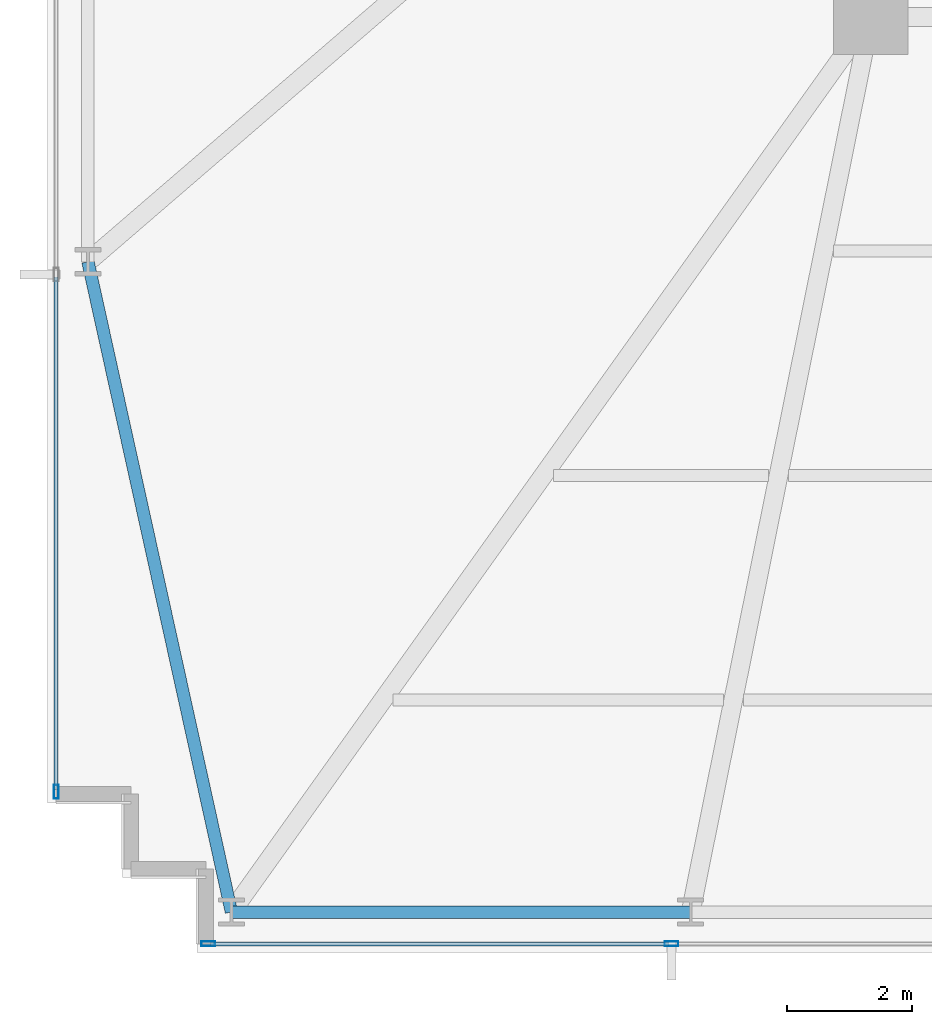
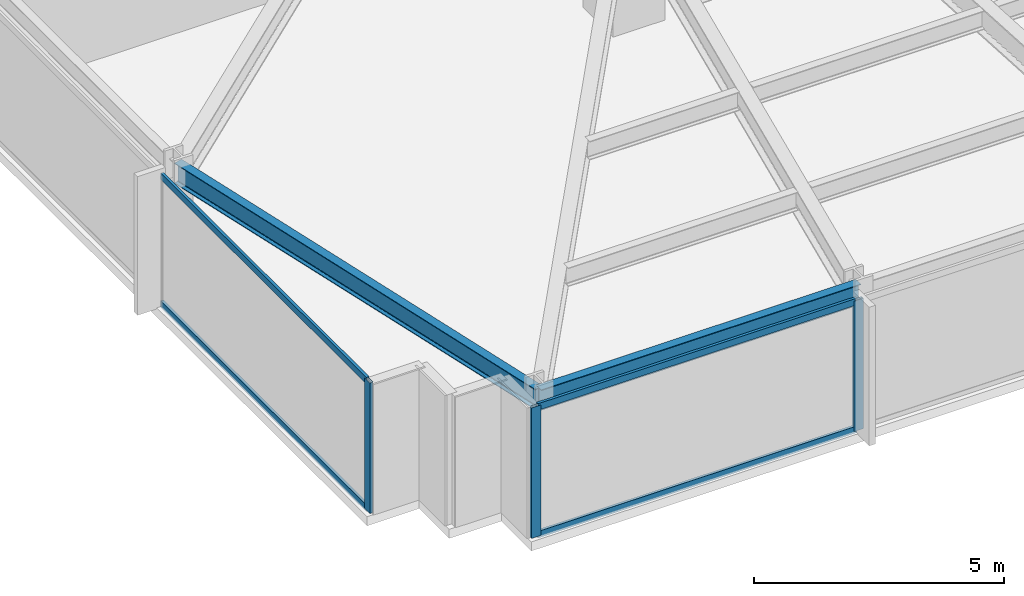
# One storey, part 2 of 32: 7 members, 2 beams, 2 elements without a shape of their own.
"""IFC4 building model written with IfcOpenShell, lengths in metres."""

from ifc_helpers import new_model, si_unit, direction, frame, origin, origin_2d, place, context, subcontext, project, spatial, hollow_rectangle, i_section, extrude, material, material_profile, profile_set, type_object, element, aggregate, save


model = new_model("IFC4")

# Units and contexts
model_context = context("Model", 3, precision=1e-05, world=origin(), true_north=direction((0.0, 1.0)))
body_context = subcontext(model_context, "Body", "Model", "MODEL_VIEW")
ifc_project = project(units=[si_unit("LENGTHUNIT", "METRE"), si_unit("AREAUNIT", "SQUARE_METRE"), si_unit("VOLUMEUNIT", "CUBIC_METRE"), si_unit("PLANEANGLEUNIT", "RADIAN"), si_unit("MASSUNIT", "GRAM", prefix="KILO")], contexts=[model_context])

# Site, building, storey
site_placement = place(None, origin())
site = spatial("IfcSite", under=ifc_project, at=site_placement, CompositionType="ELEMENT")
building_placement = place(site_placement, origin())
building = spatial("IfcBuilding", under=site, at=building_placement, Name="Yelkora Congress Tower", CompositionType="ELEMENT")
storey_placement = place(building_placement, frame((0.0, 0.0, 67.800048828125)))
storey = spatial("IfcBuildingStorey", under=building, at=storey_placement, Name="L17", CompositionType="ELEMENT", Elevation=67.800048828125)

# Beams
ifc_material_1 = material(Name="Steel S355J2", Category="steel")
ifc_material_profile_1 = material_profile(ifc_material_1, i_section(OverallWidth=0.199951171875, OverallDepth=0.5, WebThickness=0.01025390625, FlangeThickness=0.01611328125, FilletRadius=0.02099609375, at=origin_2d()), Name="IPE 500")
ifc_profile_set_1 = profile_set([ifc_material_profile_1], Name="Steel S355J2")
beam_type = type_object("IfcBeamType", Name="BM-SPAN-IPE500", PredefinedType="SPANDREL", material=ifc_profile_set_1)
beam_1_placement = place(storey_placement, frame((6.64990234375, 21.27490234375, 2.929931640625), z_axis=(0.215450706142, -0.976514717361, 0.0), x_axis=(0.976514717361, 0.215450706142, 0.0)))
element("IfcBeam", 1, at=beam_1_placement, inside=storey, type_object=beam_type, Name="L17 Perimeter Beam 1", PredefinedType="SPANDREL", context=body_context, shape_type="SweptSolid", body=[
    extrude(i_section(OverallWidth=0.199951171875, OverallDepth=0.5, WebThickness=0.01025390625, FlangeThickness=0.01611328125, FilletRadius=0.02099609375, at=origin_2d()), origin(), (0.0, 0.0, 1.0), 10.675537109375),
])
beam_2_placement = place(storey_placement, frame((8.949951171875, 10.85009765625, 2.929931640625), z_axis=(1.0, 0.0, 0.0), x_axis=(0.0, 1.0, 0.0)))
element("IfcBeam", 2, at=beam_2_placement, inside=storey, type_object=beam_type, Name="L17 Perimeter Beam 2", PredefinedType="SPANDREL", context=body_context, shape_type="SweptSolid", body=[
    extrude(i_section(OverallWidth=0.199951171875, OverallDepth=0.5, WebThickness=0.01025390625, FlangeThickness=0.01611328125, FilletRadius=0.02099609375, at=origin_2d()), origin(), (0.0, 0.0, 1.0), 7.362548828125),
])

# Curtain wall, member
ifc_material_2 = material(Name="Anodised aluminium and insulated glass", Category="aluminium")
curtain_wall_type = type_object("IfcCurtainWallType", Name="CW-SYS-B1", PredefinedType="NOTDEFINED", material=ifc_material_2)
curtain_wall_1_placement = place(storey_placement, origin())
curtain_wall_1 = element("IfcCurtainWall", 3, at=curtain_wall_1_placement, inside=storey, type_object=curtain_wall_type, Name="L17 Unitised Curtain Wall 5", PredefinedType="NOTDEFINED")
ifc_material_3 = material(Name="Anodised aluminium 6063-T6", Category="aluminium")
ifc_material_profile_2 = material_profile(ifc_material_3, hollow_rectangle(XDim=0.074951171875, YDim=0.219970703125, WallThickness=0.0048828125, at=origin_2d()), Name="ALU 75x220x5")
ifc_profile_set_2 = profile_set([ifc_material_profile_2], Name="Anodised aluminium 6063-T6")
member_type_1 = type_object("IfcMemberType", Name="MEM-ML-B1", PredefinedType="MULLION", material=ifc_profile_set_2)
member_1_placement = place(storey_placement, frame((6.139892578125, 12.777587890625, 0.0), z_axis=(0.0, 0.0, 1.0), x_axis=(-1.0, 0.0, 0.0)))
member_1 = element("IfcMember", 4, at=member_1_placement, type_object=member_type_1, Name="CW-B1 mullion 1", PredefinedType="MULLION", context=body_context, shape_type="SweptSolid", body=[
    extrude(hollow_rectangle(XDim=0.074951171875, YDim=0.219970703125, WallThickness=0.0048828125, at=origin_2d()), origin(), (0.0, 0.0, 1.0), 3.179931640625),
])

# Curtain wall, members
curtain_wall_2_placement = place(storey_placement, origin())
curtain_wall_2 = element("IfcCurtainWall", 5, at=curtain_wall_2_placement, inside=storey, type_object=curtain_wall_type, Name="L17 Unitised Curtain Wall 20", PredefinedType="NOTDEFINED")
member_2_placement = place(storey_placement, frame((16.0048828125, 10.340087890625, 0.0), z_axis=(0.0, 0.0, 1.0), x_axis=(0.0, -1.0, 0.0)))
member_2 = element("IfcMember", 6, at=member_2_placement, type_object=member_type_1, Name="CW-B1 mullion 8", PredefinedType="MULLION", context=body_context, shape_type="SweptSolid", body=[
    extrude(hollow_rectangle(XDim=0.074951171875, YDim=0.219970703125, WallThickness=0.0048828125, at=origin_2d()), origin(), (0.0, 0.0, 1.0), 3.179931640625),
])
member_3_placement = place(storey_placement, frame((8.577392578125, 10.340087890625, 0.0), z_axis=(0.0, 0.0, 1.0), x_axis=(0.0, -1.0, 0.0)))
member_3 = element("IfcMember", 7, at=member_3_placement, type_object=member_type_1, Name="CW-B1 mullion 9", PredefinedType="MULLION", context=body_context, shape_type="SweptSolid", body=[
    extrude(hollow_rectangle(XDim=0.074951171875, YDim=0.219970703125, WallThickness=0.0048828125, at=origin_2d()), origin(), (0.0, 0.0, 1.0), 3.179931640625),
])

# Member
ifc_material_profile_3 = material_profile(ifc_material_3, hollow_rectangle(XDim=0.06494140625, YDim=0.159912109375, WallThickness=0.00390625, at=origin_2d()), Name="ALU 65x160x4")
ifc_profile_set_3 = profile_set([ifc_material_profile_3], Name="Anodised aluminium 6063-T6")
member_type_2 = type_object("IfcMemberType", Name="MEM-TR-B1", PredefinedType="USERDEFINED", material=ifc_profile_set_3)
member_4_placement = place(storey_placement, frame((6.139892578125, 12.81494140625, 0.032470703125), z_axis=(0.0, 1.0, 0.0), x_axis=(-1.0, 0.0, 0.0)))
member_4 = element("IfcMember", 8, at=member_4_placement, type_object=member_type_2, Name="CW-B1 transom 1.1", ObjectType="TRANSOM", PredefinedType="USERDEFINED", context=body_context, shape_type="SweptSolid", body=[
    extrude(hollow_rectangle(XDim=0.06494140625, YDim=0.159912109375, WallThickness=0.00390625, at=origin_2d()), origin(), (0.0, 0.0, 1.0), 8.217529296875),
])

member_5_placement = place(storey_placement, frame((6.139892578125, 12.81494140625, 3.1474609375), z_axis=(0.0, 1.0, 0.0), x_axis=(-1.0, 0.0, 0.0)))
member_5 = element("IfcMember", 9, at=member_5_placement, type_object=member_type_2, Name="CW-B1 transom 1.2", ObjectType="TRANSOM", PredefinedType="USERDEFINED", context=body_context, shape_type="SweptSolid", body=[
    extrude(hollow_rectangle(XDim=0.06494140625, YDim=0.159912109375, WallThickness=0.00390625, at=origin_2d()), origin(), (0.0, 0.0, 1.0), 8.217529296875),
])

aggregate(curtain_wall_1, [member_1, member_4, member_5])

member_6_placement = place(storey_placement, frame((15.967529296875, 10.340087890625, 0.032470703125), z_axis=(-1.0, 0.0, 0.0), x_axis=(0.0, -1.0, 0.0)))
member_6 = element("IfcMember", 10, at=member_6_placement, type_object=member_type_2, Name="CW-B1 transom 8.1", ObjectType="TRANSOM", PredefinedType="USERDEFINED", context=body_context, shape_type="SweptSolid", body=[
    extrude(hollow_rectangle(XDim=0.06494140625, YDim=0.159912109375, WallThickness=0.00390625, at=origin_2d()), origin(), (0.0, 0.0, 1.0), 7.3525390625),
])

member_7_placement = place(storey_placement, frame((15.967529296875, 10.340087890625, 3.1474609375), z_axis=(-1.0, 0.0, 0.0), x_axis=(0.0, -1.0, 0.0)))
member_7 = element("IfcMember", 11, at=member_7_placement, type_object=member_type_2, Name="CW-B1 transom 8.2", ObjectType="TRANSOM", PredefinedType="USERDEFINED", context=body_context, shape_type="SweptSolid", body=[
    extrude(hollow_rectangle(XDim=0.06494140625, YDim=0.159912109375, WallThickness=0.00390625, at=origin_2d()), origin(), (0.0, 0.0, 1.0), 7.3525390625),
])

aggregate(curtain_wall_2, [member_2, member_3, member_6, member_7])

save(model, "model.ifc")
